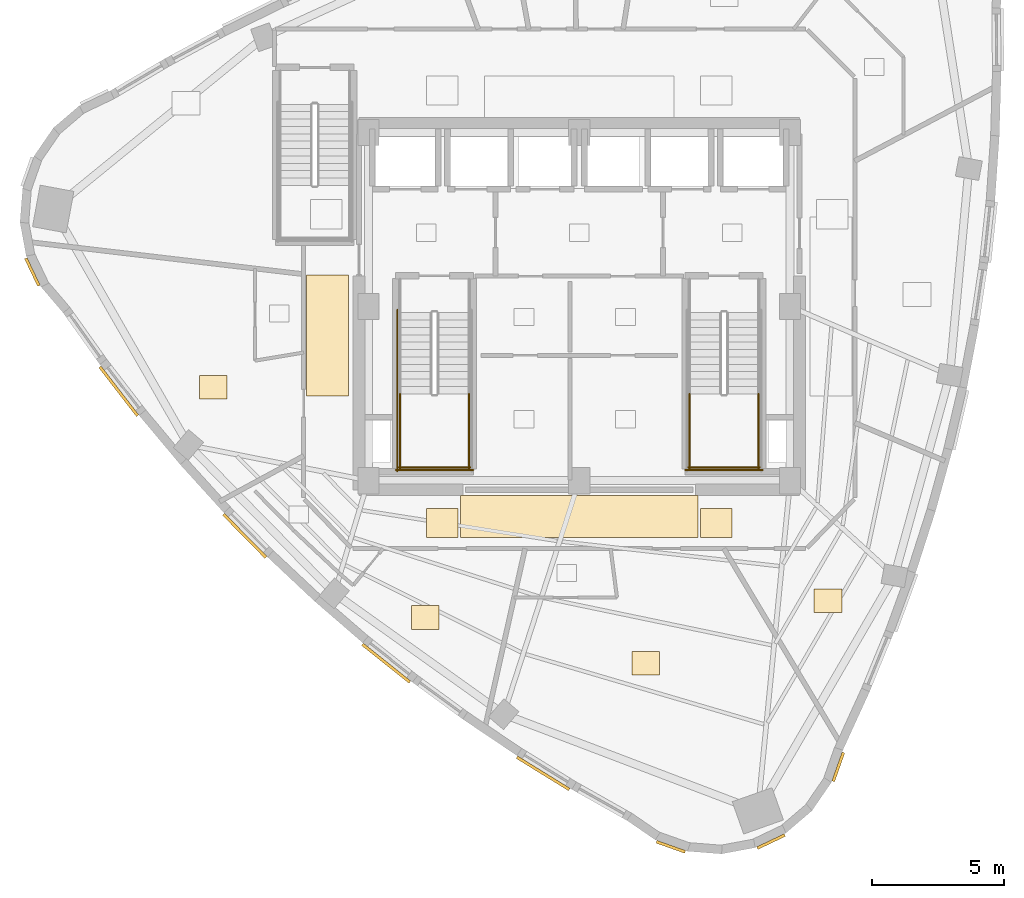
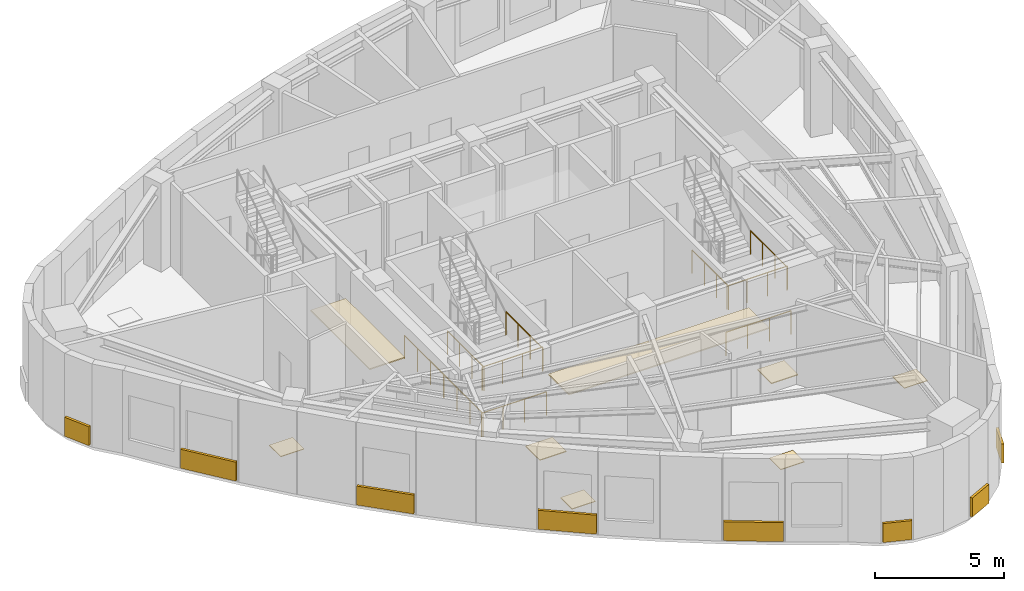
# One storey, part 7 of 9: 16 coverings, 9 railings.
"""IFC4 building model written with IfcOpenShell, lengths in metres."""

from ifc_helpers import new_model, si_unit, direction, frame, origin, origin_2d, place, context, subcontext, project, spatial, rectangle, circle, extrude, material, layer, layer_set, type_object, element, save


model = new_model("IFC4")

# Units and contexts
model_context = context("Model", 3, precision=1e-05, world=origin(), true_north=direction((0.0, 1.0)))
body_context = subcontext(model_context, "Body", "Model", "MODEL_VIEW")
ifc_project = project(units=[si_unit("LENGTHUNIT", "METRE"), si_unit("AREAUNIT", "SQUARE_METRE"), si_unit("VOLUMEUNIT", "CUBIC_METRE"), si_unit("PLANEANGLEUNIT", "RADIAN"), si_unit("MASSUNIT", "GRAM", prefix="KILO")], contexts=[model_context])

# Site, building, storey
site_placement = place(None, origin())
site = spatial("IfcSite", under=ifc_project, at=site_placement, CompositionType="ELEMENT")
building_placement = place(site_placement, origin())
building = spatial("IfcBuilding", under=site, at=building_placement, Name="Ndelora Gate Hotel", CompositionType="ELEMENT")
storey_placement = place(building_placement, frame((0.0, 0.0, 268.60009765625)))
storey = spatial("IfcBuildingStorey", under=building, at=storey_placement, Name="L67", CompositionType="ELEMENT", Elevation=268.60009765625)

# Coverings
ifc_material_1 = material(Name="Perforated Acoustic Gypsum Board", Category="gypsum")
ifc_layer_1 = layer(ifc_material_1, 0.054931640625)
ifc_layer_set_1 = layer_set([ifc_layer_1], Name="Perforated Acoustic Gypsum Board")
covering_type_1 = type_object("IfcCoveringType", Name="COV-CEIL-AC60", PredefinedType="CEILING", material=ifc_layer_set_1)
covering_1_placement = place(storey_placement, frame((-9.550048828125, -1.10009765625, 2.65234375), z_axis=(0.0, 0.0, 1.0), x_axis=(1.0, 0.0, 0.0)))
element("IfcCovering", 1, at=covering_1_placement, inside=storey, type_object=covering_type_1, Name="L67 Guest Corridor Acoustic Ceiling W", PredefinedType="CEILING", context=body_context, shape_type="SweptSolid", body=[
    extrude(rectangle(XDim=1.580078125, YDim=4.60009765625, at=origin_2d()), origin(), (0.0, 0.0, 1.0), 0.054931640625),
])
covering_2_placement = place(storey_placement, frame((0.0, -7.9599609375, 2.65234375), z_axis=(0.0, 0.0, 1.0), x_axis=(1.0, 0.0, 0.0)))
element("IfcCovering", 2, at=covering_2_placement, inside=storey, type_object=covering_type_1, Name="L67 Guest Corridor Acoustic Ceiling S", PredefinedType="CEILING", context=body_context, shape_type="SweptSolid", body=[
    extrude(rectangle(XDim=9.0, YDim=1.580078125, at=origin_2d()), origin(), (0.0, 0.0, 1.0), 0.054931640625),
])
ifc_material_2 = material(Name="Terracotta Fired Clay Brick Slip Cladding", Category="masonry")
ifc_layer_2 = layer(ifc_material_2, 0.110107421875)
ifc_layer_set_2 = layer_set([ifc_layer_2], Name="Terracotta Fired Clay Brick Slip Cladding")
covering_type_2 = type_object("IfcCoveringType", Name="COV-CLAD-BRK", PredefinedType="CLADDING", material=ifc_layer_set_2)
covering_3_placement = place(storey_placement, frame((-20.7412109375, 1.310791015625, 0.099853515625), z_axis=(0.0, 0.0, 1.0), x_axis=(-0.430511096808, 0.90258528435, 0.0)))
element("IfcCovering", 3, at=covering_3_placement, inside=storey, type_object=covering_type_2, Name="L67 Rounded-Corner Brick Cladding Band 7", PredefinedType="CLADDING", context=body_context, shape_type="SweptSolid", body=[
    extrude(rectangle(XDim=1.153076171875, YDim=0.110107421875, at=origin_2d()), origin(), (0.0, 0.0, 1.0), 0.89990234375),
])
covering_4_placement = place(storey_placement, frame((-17.46484375, -3.21337890625, 0.099853515625), z_axis=(0.0, 0.0, 1.0), x_axis=(-0.610974512974, 0.791650266529, 0.0)))
element("IfcCovering", 4, at=covering_4_placement, inside=storey, type_object=covering_type_2, Name="L67 Rounded-Corner Brick Cladding Band 10", PredefinedType="CLADDING", context=body_context, shape_type="SweptSolid", body=[
    extrude(rectangle(XDim=2.3369140625, YDim=0.110107421875, at=origin_2d()), origin(), (0.0, 0.0, 1.0), 0.89990234375),
])
for number, where, z_axis, x_axis, name in (
    (5, (-12.687744140625, -8.6962890625, 0.099853515625), (0.0, 0.0, 1.0), (-0.701158192968, 0.713005742217, 0.0), "L67 Rounded-Corner Brick Cladding Band 13"),
    (6, (-7.322509765625, -13.52734375, 0.099853515625), (0.0, 0.0, 1.0), (-0.782390810577, 0.622787780488, 0.0), "L67 Rounded-Corner Brick Cladding Band 16"),
):
    element("IfcCovering", number, at=place(storey_placement, frame(where, z_axis=z_axis, x_axis=x_axis)), inside=storey, type_object=covering_type_2, Name=name, PredefinedType="CLADDING", context=body_context, shape_type="SweptSolid", body=[
        extrude(rectangle(XDim=2.302001953125, YDim=0.110107421875, at=origin_2d()), origin(), (0.0, 0.0, 1.0), 0.89990234375),
    ])
covering_5_placement = place(storey_placement, frame((-1.3701171875, -17.705078125, 0.099853515625), z_axis=(0.0, 0.0, 1.0), x_axis=(-0.851177750474, 0.524877544859, 0.0)))
element("IfcCovering", 7, at=covering_5_placement, inside=storey, type_object=covering_type_2, Name="L67 Rounded-Corner Brick Cladding Band 19", PredefinedType="CLADDING", context=body_context, shape_type="SweptSolid", body=[
    extrude(rectangle(XDim=2.3369140625, YDim=0.110107421875, at=origin_2d()), origin(), (0.0, 0.0, 1.0), 0.89990234375),
])
for number, where, z_axis, x_axis, name in (
    (8, (3.4716796875, -20.490478515625, 0.099853515625), (0.0, 0.0, 1.0), (-0.942641491092, 0.333806859234, 0.0), "L67 Rounded-Corner Brick Cladding Band 22"),
    (9, (7.276123046875, -20.291259765625, 0.099853515625), (0.0, 0.0, 1.0), (0.90258528435, 0.430511096808, 0.0), "L67 Rounded-Corner Brick Cladding Band 25"),
    (10, (9.8251953125, -17.460205078125, 0.099853515625), (0.0, 0.0, 1.0), (0.333806859234, 0.942641491092, 0.0), "L67 Rounded-Corner Brick Cladding Band 28"),
):
    element("IfcCovering", number, at=place(storey_placement, frame(where, z_axis=z_axis, x_axis=x_axis)), inside=storey, type_object=covering_type_2, Name=name, PredefinedType="CLADDING", context=body_context, shape_type="SweptSolid", body=[
        extrude(rectangle(XDim=1.153076171875, YDim=0.110107421875, at=origin_2d()), origin(), (0.0, 0.0, 1.0), 0.89990234375),
    ])
ifc_material_3 = material(Name="Engineered Highland Oak Parquet", Category="wood")
ifc_layer_3 = layer(ifc_material_3, 0.030029296875)
ifc_layer_set_3 = layer_set([ifc_layer_3], Name="Engineered Highland Oak Parquet")
covering_type_3 = type_object("IfcCoveringType", Name="COV-FLR-PARQ", PredefinedType="FLOORING", material=ifc_layer_set_3)
for number, where, z_axis, x_axis, name in (
    (11, (-13.87451171875, -3.05712890625, 0.0), (0.0, 0.0, 1.0), (1.0, 0.0, 0.0), "L67 Crown Summit Suite 7001 Oak Parquet Flooring"),
    (12, (-5.843994140625, -11.7939453125, 0.0), (0.0, 0.0, 1.0), (1.0, 0.0, 0.0), "L67 Presidential Summit Suite 7002 Oak Parquet Flooring"),
    (13, (2.527587890625, -13.531982421875, 0.0), (0.0, 0.0, 1.0), (1.0, 0.0, 0.0), "L67 Crown Diplomatic Suite 7003 Oak Parquet Flooring"),
    (14, (9.435546875, -11.1572265625, 0.0), (0.0, 0.0, 1.0), (1.0, 0.0, 0.0), "L67 Summit Collector Study Oak Parquet Flooring"),
):
    element("IfcCovering", number, at=place(storey_placement, frame(where, z_axis=z_axis, x_axis=x_axis)), inside=storey, type_object=covering_type_3, Name=name, PredefinedType="FLOORING", context=body_context, shape_type="SweptSolid", body=[
        extrude(rectangle(XDim=1.050048828125, YDim=0.89990234375, at=origin_2d()), origin(), (0.0, 0.0, 1.0), 0.030029296875),
    ])
ifc_material_4 = material(Name="Polished Highland Stone Terrazzo", Category="masonry")
ifc_layer_4 = layer(ifc_material_4, 0.034912109375)
ifc_layer_set_4 = layer_set([ifc_layer_4], Name="Polished Highland Stone Terrazzo")
covering_type_4 = type_object("IfcCoveringType", Name="COV-FLR-TERZ", PredefinedType="FLOORING", material=ifc_layer_set_4)
for number, where, z_axis, x_axis, name in (
    (15, (-5.199951171875, -8.199951171875, 0.0), (0.0, 0.0, 1.0), (1.0, 0.0, 0.0), "L67 Corridor Threshold Terrazzo Inlay SW"),
    (16, (5.199951171875, -8.199951171875, 0.0), (0.0, 0.0, 1.0), (1.0, 0.0, 0.0), "L67 Corridor Threshold Terrazzo Inlay SE"),
):
    element("IfcCovering", number, at=place(storey_placement, frame(where, z_axis=z_axis, x_axis=x_axis)), inside=storey, type_object=covering_type_4, Name=name, PredefinedType="FLOORING", context=body_context, shape_type="SweptSolid", body=[
        extrude(rectangle(XDim=1.199951171875, YDim=1.10009765625, at=origin_2d()), origin(), (0.0, 0.0, 1.0), 0.034912109375),
    ])

# Railings
ifc_material_5 = material(Name="Painted Galvanized Steel Balustrade", Category="steel")
ifc_layer_5 = layer(ifc_material_5, 0.06005859375)
ifc_layer_set_5 = layer_set([ifc_layer_5], Name="Painted Galvanized Steel Balustrade")
railing_type = type_object("IfcRailingType", Name="RL-STAIR-GD", PredefinedType="GUARDRAIL", material=ifc_layer_set_5)
for number, where, name in (
    (17, (-6.800048828125, -3.31005859375, 2.099853515625), "L67 ST4 stair guard 3"),
    (18, (-4.179931640625, -3.31005859375, 2.099853515625), "L67 ST4 stair guard 4"),
):
    element("IfcRailing", number, at=place(storey_placement, frame(where)), inside=storey, type_object=railing_type, Name=name, PredefinedType="GUARDRAIL", context=body_context, shape_type="SweptSolid", body=[
        extrude(circle(Radius=0.02392578125, at=origin_2d()), frame((0.0, 0.0, 1.10595703125), z_axis=(0.0, -1.0, 0.0), x_axis=(1.0, 0.0, 0.0)), (0.0, 0.0, 1.0), 2.83984375),
        extrude(circle(Radius=0.02099609375, at=origin_2d()), origin(), (0.0, 0.0, 1.0), 1.081787109375),
        extrude(circle(Radius=0.02099609375, at=origin_2d()), frame((0.0, -0.946533203125, 0.0)), (0.0, 0.0, 1.0), 1.081787109375),
        extrude(circle(Radius=0.02099609375, at=origin_2d()), frame((0.0, -1.893310546875, 0.0)), (0.0, 0.0, 1.0), 1.081787109375),
        extrude(circle(Radius=0.02099609375, at=origin_2d()), frame((0.0, -2.83984375, 0.0)), (0.0, 0.0, 1.0), 1.081787109375),
    ])
railing_1_placement = place(storey_placement, frame((-6.85009765625, -6.10009765625, 2.099853515625)))
element("IfcRailing", 19, at=railing_1_placement, inside=storey, type_object=railing_type, Name="L67 ST4 stair guard 5", PredefinedType="GUARDRAIL", context=body_context, shape_type="SweptSolid", body=[
    extrude(circle(Radius=0.02392578125, at=origin_2d()), frame((0.0, 0.0, 1.10595703125), z_axis=(1.0, 0.0, 0.0), x_axis=(0.0, 1.0, 0.0)), (0.0, 0.0, 1.0), 2.72021484375),
    extrude(circle(Radius=0.02099609375, at=origin_2d()), origin(), (0.0, 0.0, 1.0), 1.081787109375),
    extrude(circle(Radius=0.02099609375, at=origin_2d()), frame((0.90673828125, 0.0, 0.0)), (0.0, 0.0, 1.0), 1.081787109375),
    extrude(circle(Radius=0.02099609375, at=origin_2d()), frame((1.8134765625, 0.0, 0.0)), (0.0, 0.0, 1.0), 1.081787109375),
    extrude(circle(Radius=0.02099609375, at=origin_2d()), frame((2.72021484375, 0.0, 0.0)), (0.0, 0.0, 1.0), 1.081787109375),
])
railing_2_placement = place(storey_placement, frame((-6.89990234375, -0.1298828125, 0.0)))
element("IfcRailing", 20, at=railing_2_placement, inside=storey, type_object=railing_type, Name="L67 ST4 stair guard 10", PredefinedType="GUARDRAIL", context=body_context, shape_type="SweptSolid", body=[
    extrude(circle(Radius=0.02392578125, at=origin_2d()), frame((0.0, 0.0, 1.10595703125), z_axis=(0.0, -1.0, 0.0), x_axis=(1.0, 0.0, 0.0)), (0.0, 0.0, 1.0), 6.1201171875),
    extrude(circle(Radius=0.02099609375, at=origin_2d()), origin(), (0.0, 0.0, 1.0), 1.081787109375),
    extrude(circle(Radius=0.02099609375, at=origin_2d()), frame((0.0, -1.02001953125, 0.0)), (0.0, 0.0, 1.0), 1.081787109375),
    extrude(circle(Radius=0.02099609375, at=origin_2d()), frame((0.0, -2.0400390625, 0.0)), (0.0, 0.0, 1.0), 1.081787109375),
    extrude(circle(Radius=0.02099609375, at=origin_2d()), frame((0.0, -3.06005859375, 0.0)), (0.0, 0.0, 1.0), 1.081787109375),
    extrude(circle(Radius=0.02099609375, at=origin_2d()), frame((0.0, -4.080078125, 0.0)), (0.0, 0.0, 1.0), 1.081787109375),
    extrude(circle(Radius=0.02099609375, at=origin_2d()), frame((0.0, -5.10009765625, 0.0)), (0.0, 0.0, 1.0), 1.081787109375),
    extrude(circle(Radius=0.02099609375, at=origin_2d()), frame((0.0, -6.1201171875, 0.0)), (0.0, 0.0, 1.0), 1.081787109375),
])
railing_3_placement = place(storey_placement, frame((-6.949951171875, -6.199951171875, 0.0)))
element("IfcRailing", 21, at=railing_3_placement, inside=storey, type_object=railing_type, Name="L67 ST4 stair guard 12", PredefinedType="GUARDRAIL", context=body_context, shape_type="SweptSolid", body=[
    extrude(circle(Radius=0.02392578125, at=origin_2d()), frame((0.0, 0.0, 1.10595703125), z_axis=(1.0, 0.0, 0.0), x_axis=(0.0, 1.0, 0.0)), (0.0, 0.0, 1.0), 2.919921875),
    extrude(circle(Radius=0.02099609375, at=origin_2d()), origin(), (0.0, 0.0, 1.0), 1.081787109375),
    extrude(circle(Radius=0.02099609375, at=origin_2d()), frame((0.973388671875, 0.0, 0.0)), (0.0, 0.0, 1.0), 1.081787109375),
    extrude(circle(Radius=0.02099609375, at=origin_2d()), frame((1.946533203125, 0.0, 0.0)), (0.0, 0.0, 1.0), 1.081787109375),
    extrude(circle(Radius=0.02099609375, at=origin_2d()), frame((2.919921875, 0.0, 0.0)), (0.0, 0.0, 1.0), 1.081787109375),
])
for number, where, name in (
    (22, (4.179931640625, -3.31005859375, 2.099853515625), "L67 ST5 stair guard 3"),
    (23, (6.800048828125, -3.31005859375, 2.099853515625), "L67 ST5 stair guard 4"),
):
    element("IfcRailing", number, at=place(storey_placement, frame(where)), inside=storey, type_object=railing_type, Name=name, PredefinedType="GUARDRAIL", context=body_context, shape_type="SweptSolid", body=[
        extrude(circle(Radius=0.02392578125, at=origin_2d()), frame((0.0, 0.0, 1.10595703125), z_axis=(0.0, -1.0, 0.0), x_axis=(1.0, 0.0, 0.0)), (0.0, 0.0, 1.0), 2.83984375),
        extrude(circle(Radius=0.02099609375, at=origin_2d()), origin(), (0.0, 0.0, 1.0), 1.081787109375),
        extrude(circle(Radius=0.02099609375, at=origin_2d()), frame((0.0, -0.946533203125, 0.0)), (0.0, 0.0, 1.0), 1.081787109375),
        extrude(circle(Radius=0.02099609375, at=origin_2d()), frame((0.0, -1.893310546875, 0.0)), (0.0, 0.0, 1.0), 1.081787109375),
        extrude(circle(Radius=0.02099609375, at=origin_2d()), frame((0.0, -2.83984375, 0.0)), (0.0, 0.0, 1.0), 1.081787109375),
    ])
railing_4_placement = place(storey_placement, frame((4.1298828125, -6.10009765625, 2.099853515625)))
element("IfcRailing", 24, at=railing_4_placement, inside=storey, type_object=railing_type, Name="L67 ST5 stair guard 5", PredefinedType="GUARDRAIL", context=body_context, shape_type="SweptSolid", body=[
    extrude(circle(Radius=0.02392578125, at=origin_2d()), frame((0.0, 0.0, 1.10595703125), z_axis=(1.0, 0.0, 0.0), x_axis=(0.0, 1.0, 0.0)), (0.0, 0.0, 1.0), 2.72021484375),
    extrude(circle(Radius=0.02099609375, at=origin_2d()), origin(), (0.0, 0.0, 1.0), 1.081787109375),
    extrude(circle(Radius=0.02099609375, at=origin_2d()), frame((0.90673828125, 0.0, 0.0)), (0.0, 0.0, 1.0), 1.081787109375),
    extrude(circle(Radius=0.02099609375, at=origin_2d()), frame((1.8134765625, 0.0, 0.0)), (0.0, 0.0, 1.0), 1.081787109375),
    extrude(circle(Radius=0.02099609375, at=origin_2d()), frame((2.72021484375, 0.0, 0.0)), (0.0, 0.0, 1.0), 1.081787109375),
])
railing_5_placement = place(storey_placement, frame((4.030029296875, -6.199951171875, 0.0)))
element("IfcRailing", 25, at=railing_5_placement, inside=storey, type_object=railing_type, Name="L67 ST5 stair guard 12", PredefinedType="GUARDRAIL", context=body_context, shape_type="SweptSolid", body=[
    extrude(circle(Radius=0.02392578125, at=origin_2d()), frame((0.0, 0.0, 1.10595703125), z_axis=(1.0, 0.0, 0.0), x_axis=(0.0, 1.0, 0.0)), (0.0, 0.0, 1.0), 2.919921875),
    extrude(circle(Radius=0.02099609375, at=origin_2d()), origin(), (0.0, 0.0, 1.0), 1.081787109375),
    extrude(circle(Radius=0.02099609375, at=origin_2d()), frame((0.973388671875, 0.0, 0.0)), (0.0, 0.0, 1.0), 1.081787109375),
    extrude(circle(Radius=0.02099609375, at=origin_2d()), frame((1.946533203125, 0.0, 0.0)), (0.0, 0.0, 1.0), 1.081787109375),
    extrude(circle(Radius=0.02099609375, at=origin_2d()), frame((2.919921875, 0.0, 0.0)), (0.0, 0.0, 1.0), 1.081787109375),
])

save(model, "model.ifc")
